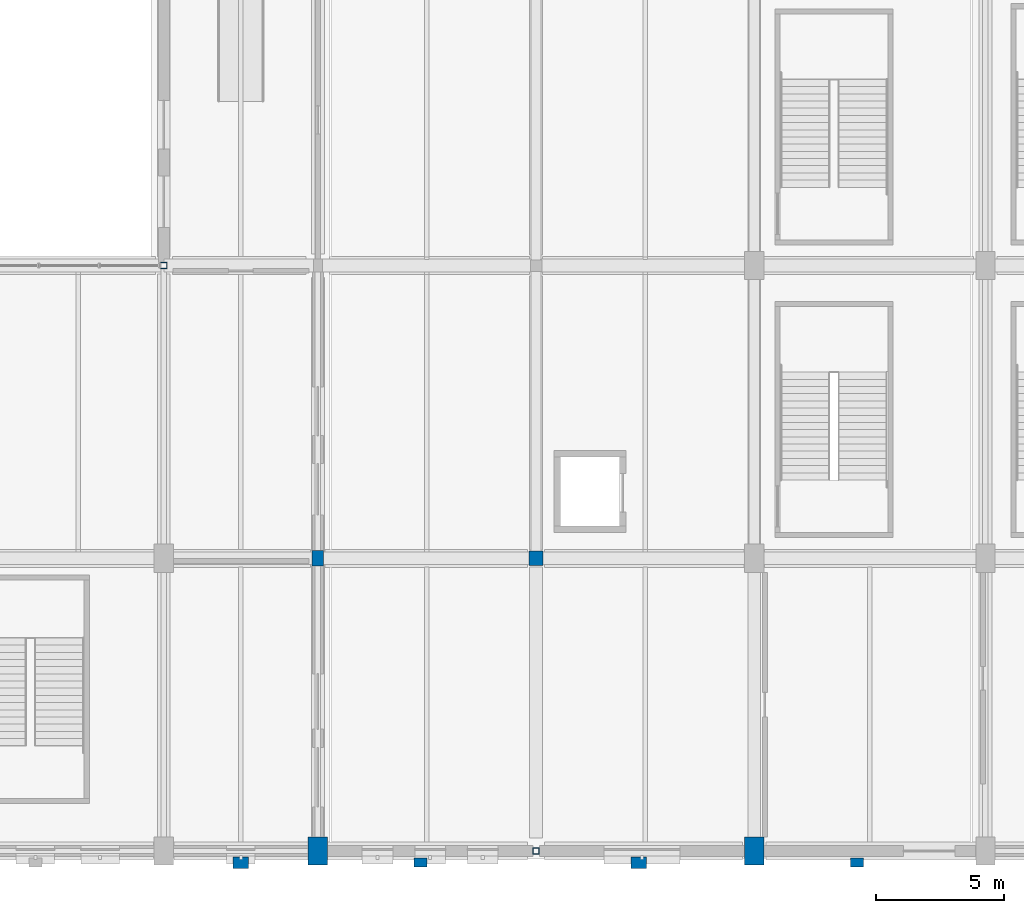
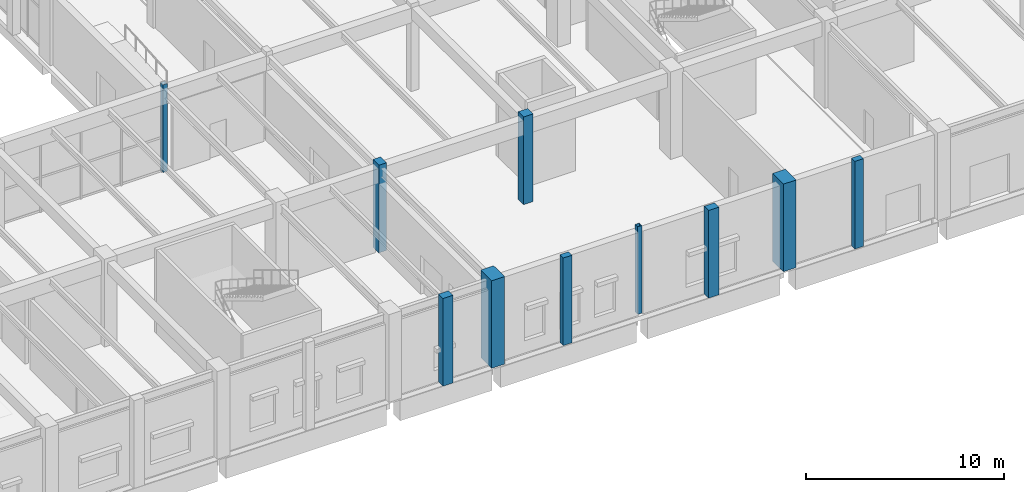
# One storey, part 8 of 113: 10 columns.
"""IFC4 building model written with IfcOpenShell, lengths in metres."""

import ifcopenshell
import ifcopenshell.guid

model = None  # the IFC model being written
_history = None  # IfcOwnerHistory: only IFC2X3 demands one
_inside = {}  # id of a spatial element -> (the spatial element, [elements in it])
_under = {}  # id of a project, library or spatial element -> (it, [spatial elements below it])
_declared = {}  # id of a project -> (the project, [libraries it declares])
_typed = {}  # id of a type object -> (the type object, [elements of that type])
_made_of = {}  # id of a material, layer set ... -> (it, [elements and type objects made of it])


def new_model(schema):
    """Start an empty IFC model of exactly this schema.

    Asked for "IFC4X3", IfcOpenShell would pick the latest addendum, in which some entities
    have other attributes; the version numbers below select the first issue.
    IFC2X3 requires an IfcOwnerHistory on every rooted entity: one is made here for all.
    """
    global model, _history
    if schema == "IFC4X3":
        model = ifcopenshell.file(schema_version=(4, 3, 0, 0))
    else:
        model = ifcopenshell.file(schema=schema)
    _inside.clear()
    _under.clear()
    _declared.clear()
    _typed.clear()
    _made_of.clear()
    _history = None
    if model.schema == "IFC2X3":
        org = make("IfcOrganization", Name="unknown")
        user = make(
            "IfcPersonAndOrganization",
            ThePerson=make("IfcPerson", FamilyName="unknown"),
            TheOrganization=org,
        )
        app = make(
            "IfcApplication",
            ApplicationDeveloper=org,
            Version="unknown",
            ApplicationFullName="unknown",
            ApplicationIdentifier="unknown",
        )
        _history = make(
            "IfcOwnerHistory",
            OwningUser=user,
            OwningApplication=app,
            ChangeAction="ADDED",
            CreationDate=0,
        )
    return model


def make(cls, **values):
    """One entity of the class cls with the attributes given. An attribute that is None is left unset."""
    return model.create_entity(
        cls, **{name: value for name, value in values.items() if value is not None}
    )


def rooted(cls, **values):
    """An entity with a GlobalId (a new one), such as an element, a storey or a relation."""
    return make(cls, GlobalId=ifcopenshell.guid.new(), OwnerHistory=_history, **values)


def si_unit(unit_type, name, prefix=None):
    """IfcSIUnit, for example si_unit("LENGTHUNIT", "METRE", prefix="MILLI")."""
    return make("IfcSIUnit", UnitType=unit_type, Prefix=prefix, Name=name)


def assignment(units):
    """IfcUnitAssignment: the units of a project."""
    return None if units is None else make("IfcUnitAssignment", Units=units)


def point(xyz):
    """IfcCartesianPoint."""
    return None if xyz is None else make("IfcCartesianPoint", Coordinates=xyz)


def direction(xyz):
    """IfcDirection."""
    return None if xyz is None else make("IfcDirection", DirectionRatios=xyz)


def frame(location, z_axis=None, x_axis=None):
    """IfcAxis2Placement3D, a coordinate frame: its origin and axes. An axis left out is left unset."""
    return make(
        "IfcAxis2Placement3D",
        Location=point(location),
        Axis=direction(z_axis),
        RefDirection=direction(x_axis),
    )


def frame_2d(location, x_axis=None):
    """IfcAxis2Placement2D, a coordinate frame in the plane: its origin and x axis."""
    return make(
        "IfcAxis2Placement2D", Location=point(location), RefDirection=direction(x_axis)
    )


def origin():
    """The frame at (0, 0, 0) with its axes left unset."""
    return frame((0.0, 0.0, 0.0))


def origin_2d():
    """The frame at (0, 0) in the plane with its x axis left unset."""
    return frame_2d((0.0, 0.0))


def place(relative_to, where):
    """IfcLocalPlacement: puts the frame where relative to a parent placement (None: the world)."""
    return make(
        "IfcLocalPlacement", PlacementRelTo=relative_to, RelativePlacement=where
    )


def context(
    kind, dimensions, precision=None, world=None, true_north=None, identifier=None
):
    """IfcGeometricRepresentationContext, for example the 3D "Model" context."""
    return make(
        "IfcGeometricRepresentationContext",
        ContextIdentifier=identifier,
        ContextType=kind,
        CoordinateSpaceDimension=dimensions,
        Precision=precision,
        WorldCoordinateSystem=world,
        TrueNorth=true_north,
    )


def subcontext(parent, identifier, kind, view, scale=None):
    """IfcGeometricRepresentationSubContext, for example "Body" below "Model"."""
    return make(
        "IfcGeometricRepresentationSubContext",
        ContextIdentifier=identifier,
        ContextType=kind,
        ParentContext=parent,
        TargetScale=scale,
        TargetView=view,
    )


def project(units=None, contexts=None):
    """IfcProject with its units and contexts."""
    return rooted(
        "IfcProject",
        Name="project",
        RepresentationContexts=contexts,
        UnitsInContext=assignment(units),
    )


def spatial(cls, under=None, at=None, **own):
    """A site, building, storey or space (cls), placed at a placement, below another one or the project."""
    s = rooted(cls, ObjectPlacement=at, **own)
    if under is not None:
        _under.setdefault(under.id(), (under, []))[1].append(s)
    return s


def profile(cls, at=None, kind="AREA", **sizes):
    """A parametric profile (cls). Its sizes go by their IFC names, for example OverallWidth=200.0."""
    return make(cls, ProfileType=kind, Position=at, **sizes)


def rectangle(**sizes):
    """IfcRectangleProfileDef."""
    return profile("IfcRectangleProfileDef", **sizes)


def hollow_rectangle(**sizes):
    """IfcRectangleHollowProfileDef."""
    return profile("IfcRectangleHollowProfileDef", **sizes)


def extrude(swept, where, along, depth):
    """IfcExtrudedAreaSolid: the profile swept, set in the frame where, extruded along a direction by depth."""
    return make(
        "IfcExtrudedAreaSolid",
        SweptArea=swept,
        Position=where,
        ExtrudedDirection=direction(along),
        Depth=depth,
    )


def shape(context_of_items, identifier, shape_type, items):
    """IfcShapeRepresentation: the items that make up one representation, for example the "Body"."""
    return make(
        "IfcShapeRepresentation",
        ContextOfItems=context_of_items,
        RepresentationIdentifier=identifier,
        RepresentationType=shape_type,
        Items=items,
    )


def material(Name=None, Category=None):
    """IfcMaterial."""
    return make("IfcMaterial", Name=Name, Category=Category)


def material_profile(
    of_material, cross_section, Name=None, Category=None, Priority=None
):
    """IfcMaterialProfile: a cross section and its material."""
    return make(
        "IfcMaterialProfile",
        Name=Name,
        Material=of_material,
        Profile=cross_section,
        Priority=Priority,
        Category=Category,
    )


def profile_set(profiles, Name=None, composite=None):
    """IfcMaterialProfileSet."""
    return make(
        "IfcMaterialProfileSet",
        Name=Name,
        MaterialProfiles=profiles,
        CompositeProfile=composite,
    )


def made_of(thing, what):
    """Note that an element or type object is made of a material, layer set ...; save() writes the relation."""
    if what is not None:
        _made_of.setdefault(what.id(), (what, []))[1].append(thing)
    return thing


def type_object(cls, material=None, **own):
    """A type object (cls), such as IfcWallType, which elements share."""
    return made_of(rooted(cls, **own), material)


def element(
    cls,
    number,
    at=None,
    inside=None,
    cuts=None,
    type_object=None,
    material=None,
    context=None,
    identifier="Body",
    shape_type=None,
    held_by="IfcProductDefinitionShape",
    body=None,
    shapes=None,
    **own,
):
    """One element of the class cls, such as IfcWall. Its Tag is "e" and its number.

    at: its placement. inside: the storey or other place that contains it. cuts: it is an
    opening in that element (IfcRelVoidsElement). A single representation is given by context,
    identifier, shape_type and body (its items); several are given by shapes. held_by: the class
    of the entity that holds the representations. save() writes the other relations.
    """
    e = rooted(cls, Tag="e%d" % number, ObjectPlacement=at, **own)
    if body is not None:
        shapes = [shape(context, identifier, shape_type, body)]
    if shapes is not None:
        e.Representation = make(held_by, Representations=shapes)
    if inside is not None:
        _inside.setdefault(inside.id(), (inside, []))[1].append(e)
    if cuts is not None:
        rooted(
            "IfcRelVoidsElement", RelatingBuildingElement=cuts, RelatedOpeningElement=e
        )
    if type_object is not None:
        _typed.setdefault(type_object.id(), (type_object, []))[1].append(e)
    return made_of(e, material)


def aggregate(whole, parts):
    """IfcRelAggregates: a whole, such as a stair, and the parts it consists of."""
    return rooted("IfcRelAggregates", RelatingObject=whole, RelatedObjects=parts)


def save(model, path):
    """Write the relations noted so far, then the file.

    IfcRelAggregates (storeys below a building ...), IfcRelContainedInSpatialStructure (elements
    in a storey), IfcRelDefinesByType, IfcRelAssociatesMaterial and IfcRelDeclares: one each for
    every whole, place, type object, material and project.
    """
    for whole, parts in _under.values():
        aggregate(whole, parts)
    for where, things in _inside.values():
        rooted(
            "IfcRelContainedInSpatialStructure",
            RelatedElements=things,
            RelatingStructure=where,
        )
    for kind, things in _typed.values():
        rooted("IfcRelDefinesByType", RelatedObjects=things, RelatingType=kind)
    for what, things in _made_of.values():
        rooted("IfcRelAssociatesMaterial", RelatedObjects=things, RelatingMaterial=what)
    for by, libraries in _declared.values():
        rooted("IfcRelDeclares", RelatingContext=by, RelatedDefinitions=libraries)
    model.write(path)


model = new_model("IFC4")

# Units and contexts
model_context = context("Model", 3, precision=1e-05, world=origin(), true_north=direction((0.0, 1.0)))
body_context = subcontext(model_context, "Body", "Model", "MODEL_VIEW")
ifc_project = project(units=[si_unit("LENGTHUNIT", "METRE"), si_unit("AREAUNIT", "SQUARE_METRE"), si_unit("VOLUMEUNIT", "CUBIC_METRE"), si_unit("PLANEANGLEUNIT", "RADIAN"), si_unit("MASSUNIT", "GRAM", prefix="KILO"), si_unit("POWERUNIT", "WATT"), si_unit("THERMODYNAMICTEMPERATUREUNIT", "KELVIN")], contexts=[model_context])

# Site, building, storey
site_placement = place(None, origin())
site = spatial("IfcSite", under=ifc_project, at=site_placement, CompositionType="ELEMENT")
building_placement = place(site_placement, origin())
building = spatial("IfcBuilding", under=site, at=building_placement, Name="Kelmbourne Parkland Aquatics Centre", CompositionType="ELEMENT")
storey_placement = place(building_placement, origin())
storey = spatial("IfcBuildingStorey", under=building, at=storey_placement, Name="L00", CompositionType="ELEMENT", Elevation=0.0)

# Columns
ifc_material_1 = material(Name="Concrete C40/50", Category="concrete")
ifc_material_profile_1 = material_profile(ifc_material_1, rectangle(XDim=0.75, YDim=1.10009765625, at=origin_2d()), Name="RC 750x1100")
ifc_profile_set_1 = profile_set([ifc_material_profile_1], Name="Concrete C40/50")
column_type_1 = type_object("IfcColumnType", Name="COL-C03", PredefinedType="COLUMN", material=ifc_profile_set_1)
for number, where, z_axis, x_axis, name in (
    (1, (102.0, 0.800048828125, 0.0), (0.0, 0.0, 1.0), (1.0, 0.0, 0.0), "Structural column M-01 (L00)"),
    (2, (119.0, 0.800048828125, 0.0), (0.0, 0.0, 1.0), (1.0, 0.0, 0.0), "Structural column O-01 (L00)"),
):
    element("IfcColumn", number, at=place(storey_placement, frame(where, z_axis=z_axis, x_axis=x_axis)), inside=storey, type_object=column_type_1, Name=name, PredefinedType="COLUMN", context=body_context, shape_type="SweptSolid", body=[
        extrude(rectangle(XDim=0.75, YDim=1.10009765625, at=origin_2d()), origin(), (0.0, 0.0, 1.0), 5.39990234375),
    ])
ifc_material_profile_2 = material_profile(ifc_material_1, rectangle(XDim=0.550048828125, YDim=0.550048828125, at=origin_2d()), Name="RC 550x550")
ifc_profile_set_2 = profile_set([ifc_material_profile_2], Name="Concrete C40/50")
column_type_2 = type_object("IfcColumnType", Name="COL-C07", PredefinedType="COLUMN", material=ifc_profile_set_2)
column_placement = place(storey_placement, frame((110.5, 12.199951171875, 0.0), z_axis=(0.0, 0.0, 1.0), x_axis=(1.0, 0.0, 0.0)))
element("IfcColumn", 3, at=column_placement, inside=storey, type_object=column_type_2, Name="Structural column N-03 (L00)", PredefinedType="COLUMN", context=body_context, shape_type="SweptSolid", body=[
    extrude(rectangle(XDim=0.550048828125, YDim=0.550048828125, at=origin_2d()), origin(), (0.0, 0.0, 1.0), 5.39990234375),
])
ifc_material_2 = material(Name="Cold-formed hollow steel AS/NZS 1163 C350L0", Category="steel")
ifc_material_profile_3 = material_profile(ifc_material_2, hollow_rectangle(XDim=0.25, YDim=0.25, WallThickness=0.012451171875, at=origin_2d()), Name="SHS 250x250x12.5")
ifc_profile_set_3 = profile_set([ifc_material_profile_3], Name="Cold-formed hollow steel AS/NZS 1163 C350L0")
column_type_3 = type_object("IfcColumnType", Name="COL-C23", PredefinedType="COLUMN", material=ifc_profile_set_3)
for number, where, z_axis, x_axis, name in (
    (4, (96.0, 23.60009765625, 0.0), (0.0, 0.0, 1.0), (1.0, 0.0, 0.0), "Structural column L-04 (L00)"),
    (5, (110.5, 0.800048828125, 0.0), (0.0, 0.0, 1.0), (1.0, 0.0, 0.0), "Structural column N-01 (L00)"),
):
    element("IfcColumn", number, at=place(storey_placement, frame(where, z_axis=z_axis, x_axis=x_axis)), inside=storey, type_object=column_type_3, Name=name, PredefinedType="COLUMN", context=body_context, shape_type="SweptSolid", body=[
        extrude(hollow_rectangle(XDim=0.25, YDim=0.25, WallThickness=0.012451171875, at=origin_2d()), origin(), (0.0, 0.0, 1.0), 5.39990234375),
    ])
ifc_material_3 = material(Name="Clay brick masonry AS 3700 M12", Category="masonry")
ifc_material_profile_4 = material_profile(ifc_material_3, rectangle(XDim=0.35009765625, YDim=0.5, at=origin_2d()), Name="PIL 350x500")
ifc_profile_set_4 = profile_set([ifc_material_profile_4], Name="Clay brick masonry AS 3700 M12")
column_type_4 = type_object("IfcColumnType", Name="PIL-PL1", PredefinedType="PILASTER", material=ifc_profile_set_4)
for number, where, z_axis, x_axis, name in (
    (6, (106.0, 0.35009765625, 0.0), (0.0, 0.0, 1.0), (0.0, 1.0, 0.0), "Amsterdam School engaged brick buttress S-031 (L00)"),
    (7, (123.0, 0.35009765625, 0.0), (0.0, 0.0, 1.0), (0.0, 1.0, 0.0), "Amsterdam School engaged brick buttress S-033 (L00)"),
):
    element("IfcColumn", number, at=place(storey_placement, frame(where, z_axis=z_axis, x_axis=x_axis)), inside=storey, type_object=column_type_4, Name=name, PredefinedType="PILASTER", context=body_context, shape_type="SweptSolid", body=[
        extrude(rectangle(XDim=0.35009765625, YDim=0.5, at=origin_2d()), origin(), (0.0, 0.0, 1.0), 5.39990234375),
    ])
ifc_material_profile_5 = material_profile(ifc_material_3, rectangle(XDim=0.449951171875, YDim=0.60009765625, at=origin_2d()), Name="PIL 450x600")
ifc_profile_set_5 = profile_set([ifc_material_profile_5], Name="Clay brick masonry AS 3700 M12")
column_type_5 = type_object("IfcColumnType", Name="PIL-PL2", PredefinedType="PILASTER", material=ifc_profile_set_5)
for number, where, z_axis, x_axis, name in (
    (8, (102.0, 12.199951171875, 0.0), (0.0, 0.0, 1.0), (1.0, 0.0, 0.0), "Engaged brick pilaster M-03 (L00)"),
    (9, (99.0, 0.35009765625, 0.0), (0.0, 0.0, 1.0), (0.0, 1.0, 0.0), "Amsterdam School engaged brick buttress S-030 (L00)"),
    (10, (114.5, 0.35009765625, 0.0), (0.0, 0.0, 1.0), (0.0, 1.0, 0.0), "Amsterdam School engaged brick buttress S-032 (L00)"),
):
    element("IfcColumn", number, at=place(storey_placement, frame(where, z_axis=z_axis, x_axis=x_axis)), inside=storey, type_object=column_type_5, Name=name, PredefinedType="PILASTER", context=body_context, shape_type="SweptSolid", body=[
        extrude(rectangle(XDim=0.449951171875, YDim=0.60009765625, at=origin_2d()), origin(), (0.0, 0.0, 1.0), 5.39990234375),
    ])

save(model, "model.ifc")
